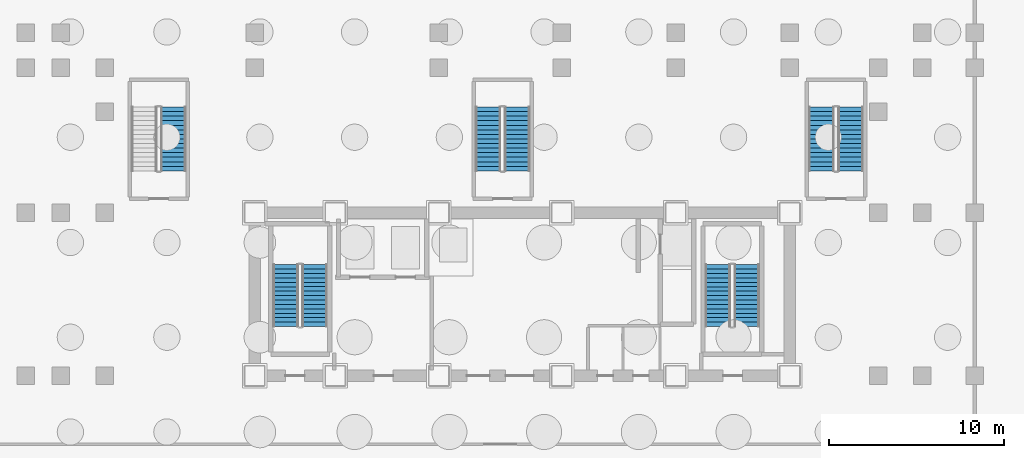
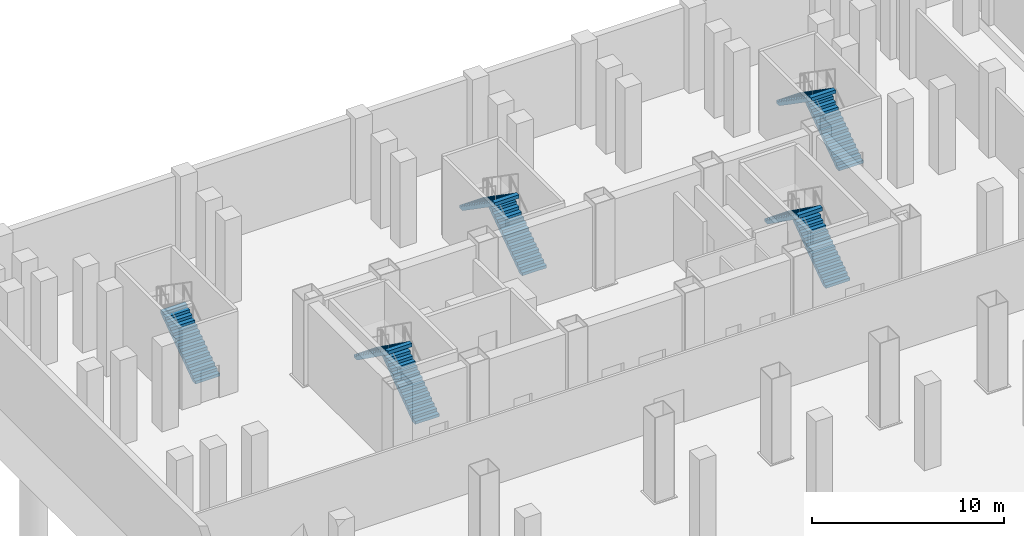
# One storey, part 5 of 8: 9 stair flights, 5 elements without a shape of their own.
"""IFC4 building model written with IfcOpenShell, lengths in metres."""

from ifc_helpers import new_model, si_unit, direction, frame, origin, place, context, subcontext, project, spatial, polyline, outline, extrude, material, type_object, element, aggregate, save


model = new_model("IFC4")

# Units and contexts
model_context = context("Model", 3, precision=1e-05, world=origin(), true_north=direction((0.0, 1.0)))
body_context = subcontext(model_context, "Body", "Model", "MODEL_VIEW")
ifc_project = project(units=[si_unit("LENGTHUNIT", "METRE"), si_unit("AREAUNIT", "SQUARE_METRE"), si_unit("VOLUMEUNIT", "CUBIC_METRE"), si_unit("PLANEANGLEUNIT", "RADIAN"), si_unit("MASSUNIT", "GRAM", prefix="KILO")], contexts=[model_context])

# Site, building, storey
site_placement = place(None, origin())
site = spatial("IfcSite", under=ifc_project, at=site_placement, CompositionType="ELEMENT")
building_placement = place(site_placement, origin())
building = spatial("IfcBuilding", under=site, at=building_placement, Name="Noeulbin Bourse Tower", CompositionType="ELEMENT")
storey_placement = place(building_placement, frame((0.0, 0.0, -15.60009765625)))
storey = spatial("IfcBuildingStorey", under=building, at=storey_placement, Name="B03", CompositionType="ELEMENT", Elevation=-15.60009765625)

# Stair, stair flight
ifc_material = material(Name="Concrete C40/50", Category="concrete")
stair_type_1 = type_object("IfcStairType", Name="STR-AUX-1620", PredefinedType="HALF_TURN_STAIR", material=ifc_material)
stair_1_placement = place(storey_placement, origin())
stair_1 = element("IfcStair", 1, at=stair_1_placement, inside=storey, type_object=stair_type_1, Name="B03 ST-S1", PredefinedType="HALF_TURN_STAIR")
stair_flight_type_1 = type_object("IfcStairFlightType", Name="SFL-AUX-1620", PredefinedType="STRAIGHT", material=ifc_material)
stair_flight_1_placement = place(storey_placement, frame((8.8701171875, 40.679931640625, 0.0), z_axis=(0.0, 0.0, 1.0), x_axis=(0.0, 1.0, 0.0)))
stair_flight_1 = element("IfcStairFlight", 2, at=stair_flight_1_placement, type_object=stair_flight_type_1, Name="ST-S1 flight 1", NumberOfRisers=15, NumberOfTreads=14, PredefinedType="STRAIGHT", RiserHeight=0.18, TreadLength=0.26, context=body_context, shape_type="SweptSolid", body=[
    extrude(outline(polyline([(0.0, 0.0), (0.0, 0.179931640625), (0.260009765625, 0.179931640625), (0.260009765625, 0.360107421875), (0.52001953125, 0.360107421875), (0.52001953125, 0.5400390625), (0.780029296875, 0.5400390625), (0.780029296875, 0.719970703125), (1.0400390625, 0.719970703125), (1.0400390625, 0.89990234375), (1.300048828125, 0.89990234375), (1.300048828125, 1.080078125), (1.56005859375, 1.080078125), (1.56005859375, 1.260009765625), (1.820068359375, 1.260009765625), (1.820068359375, 1.43994140625), (2.080078125, 1.43994140625), (2.080078125, 1.6201171875), (2.340087890625, 1.6201171875), (2.340087890625, 1.800048828125), (2.60009765625, 1.800048828125), (2.60009765625, 1.97998046875), (2.860107421875, 1.97998046875), (2.860107421875, 2.159912109375), (3.1201171875, 2.159912109375), (3.1201171875, 2.340087890625), (3.3798828125, 2.340087890625), (3.3798828125, 2.52001953125), (3.639892578125, 2.52001953125), (3.639892578125, 2.699951171875), (3.639892578125, 2.30126953125), (0.316162109375, 0.0), (0.0, 0.0)])), frame((0.0, 0.72998046875, 0.0), z_axis=(0.0, -1.0, 0.0), x_axis=(1.0, 0.0, 0.0)), (0.0, 0.0, 1.0), 1.4599609375),
])
aggregate(stair_1, [stair_flight_1])

# Stair, stair flights
stair_2_placement = place(storey_placement, origin())
stair_2 = element("IfcStair", 3, at=stair_2_placement, inside=storey, type_object=stair_type_1, Name="B03 ST-S2", PredefinedType="HALF_TURN_STAIR")
stair_flight_2_placement = place(storey_placement, frame((28.469970703125, 40.679931640625, 0.0), z_axis=(0.0, 0.0, 1.0), x_axis=(0.0, 1.0, 0.0)))
stair_flight_2 = element("IfcStairFlight", 4, at=stair_flight_2_placement, type_object=stair_flight_type_1, Name="ST-S2 flight 1", NumberOfRisers=15, NumberOfTreads=14, PredefinedType="STRAIGHT", RiserHeight=0.18, TreadLength=0.26, context=body_context, shape_type="SweptSolid", body=[
    extrude(outline(polyline([(0.0, 0.0), (0.0, 0.179931640625), (0.260009765625, 0.179931640625), (0.260009765625, 0.360107421875), (0.52001953125, 0.360107421875), (0.52001953125, 0.5400390625), (0.780029296875, 0.5400390625), (0.780029296875, 0.719970703125), (1.0400390625, 0.719970703125), (1.0400390625, 0.89990234375), (1.300048828125, 0.89990234375), (1.300048828125, 1.080078125), (1.56005859375, 1.080078125), (1.56005859375, 1.260009765625), (1.820068359375, 1.260009765625), (1.820068359375, 1.43994140625), (2.080078125, 1.43994140625), (2.080078125, 1.6201171875), (2.340087890625, 1.6201171875), (2.340087890625, 1.800048828125), (2.60009765625, 1.800048828125), (2.60009765625, 1.97998046875), (2.860107421875, 1.97998046875), (2.860107421875, 2.159912109375), (3.1201171875, 2.159912109375), (3.1201171875, 2.340087890625), (3.3798828125, 2.340087890625), (3.3798828125, 2.52001953125), (3.639892578125, 2.52001953125), (3.639892578125, 2.699951171875), (3.639892578125, 2.30126953125), (0.316162109375, 0.0), (0.0, 0.0)])), frame((0.0, 0.72998046875, 0.0), z_axis=(0.0, -1.0, 0.0), x_axis=(1.0, 0.0, 0.0)), (0.0, 0.0, 1.0), 1.4599609375),
])
stair_flight_3_placement = place(storey_placement, frame((26.81005859375, 44.320068359375, 2.7001953125), z_axis=(0.0, 0.0, 1.0), x_axis=(0.0, -1.0, 0.0)))
stair_flight_3 = element("IfcStairFlight", 5, at=stair_flight_3_placement, type_object=stair_flight_type_1, Name="ST-S2 flight 2", NumberOfRisers=15, NumberOfTreads=14, PredefinedType="STRAIGHT", RiserHeight=0.18, TreadLength=0.26, context=body_context, shape_type="SweptSolid", body=[
    extrude(outline(polyline([(0.0, 0.0), (0.0, 0.179931640625), (0.260009765625, 0.179931640625), (0.260009765625, 0.360107421875), (0.52001953125, 0.360107421875), (0.52001953125, 0.5400390625), (0.780029296875, 0.5400390625), (0.780029296875, 0.719970703125), (1.0400390625, 0.719970703125), (1.0400390625, 0.89990234375), (1.300048828125, 0.89990234375), (1.300048828125, 1.080078125), (1.56005859375, 1.080078125), (1.56005859375, 1.260009765625), (1.820068359375, 1.260009765625), (1.820068359375, 1.43994140625), (2.080078125, 1.43994140625), (2.080078125, 1.6201171875), (2.340087890625, 1.6201171875), (2.340087890625, 1.800048828125), (2.60009765625, 1.800048828125), (2.60009765625, 1.97998046875), (2.860107421875, 1.97998046875), (2.860107421875, 2.159912109375), (3.1201171875, 2.159912109375), (3.1201171875, 2.340087890625), (3.3798828125, 2.340087890625), (3.3798828125, 2.52001953125), (3.639892578125, 2.52001953125), (3.639892578125, 2.699951171875), (3.639892578125, 2.30126953125), (0.316162109375, 0.0), (0.0, 0.0)])), frame((0.0, 0.72998046875, 0.0), z_axis=(0.0, -1.0, 0.0), x_axis=(1.0, 0.0, 0.0)), (0.0, 0.0, 1.0), 1.4599609375),
])
aggregate(stair_2, [stair_flight_2, stair_flight_3])

stair_3_placement = place(storey_placement, origin())
stair_3 = element("IfcStair", 6, at=stair_3_placement, inside=storey, type_object=stair_type_1, Name="B03 ST-S3", PredefinedType="HALF_TURN_STAIR")
stair_flight_4_placement = place(storey_placement, frame((47.469970703125, 40.679931640625, 0.0), z_axis=(0.0, 0.0, 1.0), x_axis=(0.0, 1.0, 0.0)))
stair_flight_4 = element("IfcStairFlight", 7, at=stair_flight_4_placement, type_object=stair_flight_type_1, Name="ST-S3 flight 1", NumberOfRisers=15, NumberOfTreads=14, PredefinedType="STRAIGHT", RiserHeight=0.18, TreadLength=0.26, context=body_context, shape_type="SweptSolid", body=[
    extrude(outline(polyline([(0.0, 0.0), (0.0, 0.179931640625), (0.260009765625, 0.179931640625), (0.260009765625, 0.360107421875), (0.52001953125, 0.360107421875), (0.52001953125, 0.5400390625), (0.780029296875, 0.5400390625), (0.780029296875, 0.719970703125), (1.0400390625, 0.719970703125), (1.0400390625, 0.89990234375), (1.300048828125, 0.89990234375), (1.300048828125, 1.080078125), (1.56005859375, 1.080078125), (1.56005859375, 1.260009765625), (1.820068359375, 1.260009765625), (1.820068359375, 1.43994140625), (2.080078125, 1.43994140625), (2.080078125, 1.6201171875), (2.340087890625, 1.6201171875), (2.340087890625, 1.800048828125), (2.60009765625, 1.800048828125), (2.60009765625, 1.97998046875), (2.860107421875, 1.97998046875), (2.860107421875, 2.159912109375), (3.1201171875, 2.159912109375), (3.1201171875, 2.340087890625), (3.3798828125, 2.340087890625), (3.3798828125, 2.52001953125), (3.639892578125, 2.52001953125), (3.639892578125, 2.699951171875), (3.639892578125, 2.30126953125), (0.316162109375, 0.0), (0.0, 0.0)])), frame((0.0, 0.72998046875, 0.0), z_axis=(0.0, -1.0, 0.0), x_axis=(1.0, 0.0, 0.0)), (0.0, 0.0, 1.0), 1.4599609375),
])
stair_flight_5_placement = place(storey_placement, frame((45.81005859375, 44.320068359375, 2.7001953125), z_axis=(0.0, 0.0, 1.0), x_axis=(0.0, -1.0, 0.0)))
stair_flight_5 = element("IfcStairFlight", 8, at=stair_flight_5_placement, type_object=stair_flight_type_1, Name="ST-S3 flight 2", NumberOfRisers=15, NumberOfTreads=14, PredefinedType="STRAIGHT", RiserHeight=0.18, TreadLength=0.26, context=body_context, shape_type="SweptSolid", body=[
    extrude(outline(polyline([(0.0, 0.0), (0.0, 0.179931640625), (0.260009765625, 0.179931640625), (0.260009765625, 0.360107421875), (0.52001953125, 0.360107421875), (0.52001953125, 0.5400390625), (0.780029296875, 0.5400390625), (0.780029296875, 0.719970703125), (1.0400390625, 0.719970703125), (1.0400390625, 0.89990234375), (1.300048828125, 0.89990234375), (1.300048828125, 1.080078125), (1.56005859375, 1.080078125), (1.56005859375, 1.260009765625), (1.820068359375, 1.260009765625), (1.820068359375, 1.43994140625), (2.080078125, 1.43994140625), (2.080078125, 1.6201171875), (2.340087890625, 1.6201171875), (2.340087890625, 1.800048828125), (2.60009765625, 1.800048828125), (2.60009765625, 1.97998046875), (2.860107421875, 1.97998046875), (2.860107421875, 2.159912109375), (3.1201171875, 2.159912109375), (3.1201171875, 2.340087890625), (3.3798828125, 2.340087890625), (3.3798828125, 2.52001953125), (3.639892578125, 2.52001953125), (3.639892578125, 2.699951171875), (3.639892578125, 2.30126953125), (0.316162109375, 0.0), (0.0, 0.0)])), frame((0.0, 0.72998046875, 0.0), z_axis=(0.0, -1.0, 0.0), x_axis=(1.0, 0.0, 0.0)), (0.0, 0.0, 1.0), 1.4599609375),
])
aggregate(stair_3, [stair_flight_4, stair_flight_5])

stair_type_2 = type_object("IfcStairType", Name="STR-CORE-1560", PredefinedType="HALF_TURN_STAIR", material=ifc_material)
stair_4_placement = place(storey_placement, origin())
stair_4 = element("IfcStair", 9, at=stair_4_placement, inside=storey, type_object=stair_type_2, Name="B03 ST-1", PredefinedType="HALF_TURN_STAIR")
stair_flight_type_2 = type_object("IfcStairFlightType", Name="SFL-CORE-1560", PredefinedType="STRAIGHT", material=ifc_material)
stair_flight_6_placement = place(storey_placement, frame((16.925048828125, 31.81005859375, 0.0), z_axis=(0.0, 0.0, 1.0), x_axis=(0.0, 1.0, 0.0)))
stair_flight_6 = element("IfcStairFlight", 10, at=stair_flight_6_placement, type_object=stair_flight_type_2, Name="ST-1 flight 1", NumberOfRisers=15, NumberOfTreads=14, PredefinedType="STRAIGHT", RiserHeight=0.18, TreadLength=0.252, context=body_context, shape_type="SweptSolid", body=[
    extrude(outline(polyline([(0.0, 0.0), (0.0, 0.179931640625), (0.251953125, 0.179931640625), (0.251953125, 0.360107421875), (0.50390625, 0.360107421875), (0.50390625, 0.5400390625), (0.756103515625, 0.5400390625), (0.756103515625, 0.719970703125), (1.008056640625, 0.719970703125), (1.008056640625, 0.89990234375), (1.260009765625, 0.89990234375), (1.260009765625, 1.080078125), (1.511962890625, 1.080078125), (1.511962890625, 1.260009765625), (1.763916015625, 1.260009765625), (1.763916015625, 1.43994140625), (2.01611328125, 1.43994140625), (2.01611328125, 1.6201171875), (2.26806640625, 1.6201171875), (2.26806640625, 1.800048828125), (2.52001953125, 1.800048828125), (2.52001953125, 1.97998046875), (2.77197265625, 1.97998046875), (2.77197265625, 2.159912109375), (3.02392578125, 2.159912109375), (3.02392578125, 2.340087890625), (3.27587890625, 2.340087890625), (3.27587890625, 2.52001953125), (3.528076171875, 2.52001953125), (3.528076171875, 2.699951171875), (3.528076171875, 2.298828125), (0.3095703125, 0.0), (0.0, 0.0)])), frame((0.0, 0.72509765625, 0.0), z_axis=(0.0, -1.0, 0.0), x_axis=(1.0, 0.0, 0.0)), (0.0, 0.0, 1.0), 1.449951171875),
])
stair_flight_7_placement = place(storey_placement, frame((15.27490234375, 35.337890625, 2.7001953125), z_axis=(0.0, 0.0, 1.0), x_axis=(0.0, -1.0, 0.0)))
stair_flight_7 = element("IfcStairFlight", 11, at=stair_flight_7_placement, type_object=stair_flight_type_2, Name="ST-1 flight 2", NumberOfRisers=15, NumberOfTreads=14, PredefinedType="STRAIGHT", RiserHeight=0.18, TreadLength=0.252, context=body_context, shape_type="SweptSolid", body=[
    extrude(outline(polyline([(0.0, 0.0), (0.0, 0.179931640625), (0.251953125, 0.179931640625), (0.251953125, 0.360107421875), (0.50390625, 0.360107421875), (0.50390625, 0.5400390625), (0.756103515625, 0.5400390625), (0.756103515625, 0.719970703125), (1.008056640625, 0.719970703125), (1.008056640625, 0.89990234375), (1.260009765625, 0.89990234375), (1.260009765625, 1.080078125), (1.511962890625, 1.080078125), (1.511962890625, 1.260009765625), (1.763916015625, 1.260009765625), (1.763916015625, 1.43994140625), (2.01611328125, 1.43994140625), (2.01611328125, 1.6201171875), (2.26806640625, 1.6201171875), (2.26806640625, 1.800048828125), (2.52001953125, 1.800048828125), (2.52001953125, 1.97998046875), (2.77197265625, 1.97998046875), (2.77197265625, 2.159912109375), (3.02392578125, 2.159912109375), (3.02392578125, 2.340087890625), (3.27587890625, 2.340087890625), (3.27587890625, 2.52001953125), (3.528076171875, 2.52001953125), (3.528076171875, 2.699951171875), (3.528076171875, 2.298828125), (0.3095703125, 0.0), (0.0, 0.0)])), frame((0.0, 0.72509765625, 0.0), z_axis=(0.0, -1.0, 0.0), x_axis=(1.0, 0.0, 0.0)), (0.0, 0.0, 1.0), 1.449951171875),
])
aggregate(stair_4, [stair_flight_6, stair_flight_7])

stair_5_placement = place(storey_placement, origin())
stair_5 = element("IfcStair", 12, at=stair_5_placement, inside=storey, type_object=stair_type_2, Name="B03 ST-2", PredefinedType="HALF_TURN_STAIR")
stair_flight_8_placement = place(storey_placement, frame((41.554931640625, 31.81005859375, 0.0), z_axis=(0.0, 0.0, 1.0), x_axis=(0.0, 1.0, 0.0)))
stair_flight_8 = element("IfcStairFlight", 13, at=stair_flight_8_placement, type_object=stair_flight_type_2, Name="ST-2 flight 1", NumberOfRisers=15, NumberOfTreads=14, PredefinedType="STRAIGHT", RiserHeight=0.18, TreadLength=0.252, context=body_context, shape_type="SweptSolid", body=[
    extrude(outline(polyline([(0.0, 0.0), (0.0, 0.179931640625), (0.251953125, 0.179931640625), (0.251953125, 0.360107421875), (0.50390625, 0.360107421875), (0.50390625, 0.5400390625), (0.756103515625, 0.5400390625), (0.756103515625, 0.719970703125), (1.008056640625, 0.719970703125), (1.008056640625, 0.89990234375), (1.260009765625, 0.89990234375), (1.260009765625, 1.080078125), (1.511962890625, 1.080078125), (1.511962890625, 1.260009765625), (1.763916015625, 1.260009765625), (1.763916015625, 1.43994140625), (2.01611328125, 1.43994140625), (2.01611328125, 1.6201171875), (2.26806640625, 1.6201171875), (2.26806640625, 1.800048828125), (2.52001953125, 1.800048828125), (2.52001953125, 1.97998046875), (2.77197265625, 1.97998046875), (2.77197265625, 2.159912109375), (3.02392578125, 2.159912109375), (3.02392578125, 2.340087890625), (3.27587890625, 2.340087890625), (3.27587890625, 2.52001953125), (3.528076171875, 2.52001953125), (3.528076171875, 2.699951171875), (3.528076171875, 2.298828125), (0.3095703125, 0.0), (0.0, 0.0)])), frame((0.0, 0.72509765625, 0.0), z_axis=(0.0, -1.0, 0.0), x_axis=(1.0, 0.0, 0.0)), (0.0, 0.0, 1.0), 1.449951171875),
])
stair_flight_9_placement = place(storey_placement, frame((39.905029296875, 35.337890625, 2.7001953125), z_axis=(0.0, 0.0, 1.0), x_axis=(0.0, -1.0, 0.0)))
stair_flight_9 = element("IfcStairFlight", 14, at=stair_flight_9_placement, type_object=stair_flight_type_2, Name="ST-2 flight 2", NumberOfRisers=15, NumberOfTreads=14, PredefinedType="STRAIGHT", RiserHeight=0.18, TreadLength=0.252, context=body_context, shape_type="SweptSolid", body=[
    extrude(outline(polyline([(0.0, 0.0), (0.0, 0.179931640625), (0.251953125, 0.179931640625), (0.251953125, 0.360107421875), (0.50390625, 0.360107421875), (0.50390625, 0.5400390625), (0.756103515625, 0.5400390625), (0.756103515625, 0.719970703125), (1.008056640625, 0.719970703125), (1.008056640625, 0.89990234375), (1.260009765625, 0.89990234375), (1.260009765625, 1.080078125), (1.511962890625, 1.080078125), (1.511962890625, 1.260009765625), (1.763916015625, 1.260009765625), (1.763916015625, 1.43994140625), (2.01611328125, 1.43994140625), (2.01611328125, 1.6201171875), (2.26806640625, 1.6201171875), (2.26806640625, 1.800048828125), (2.52001953125, 1.800048828125), (2.52001953125, 1.97998046875), (2.77197265625, 1.97998046875), (2.77197265625, 2.159912109375), (3.02392578125, 2.159912109375), (3.02392578125, 2.340087890625), (3.27587890625, 2.340087890625), (3.27587890625, 2.52001953125), (3.528076171875, 2.52001953125), (3.528076171875, 2.699951171875), (3.528076171875, 2.298828125), (0.3095703125, 0.0), (0.0, 0.0)])), frame((0.0, 0.72509765625, 0.0), z_axis=(0.0, -1.0, 0.0), x_axis=(1.0, 0.0, 0.0)), (0.0, 0.0, 1.0), 1.449951171875),
])
aggregate(stair_5, [stair_flight_8, stair_flight_9])

save(model, "model.ifc")
